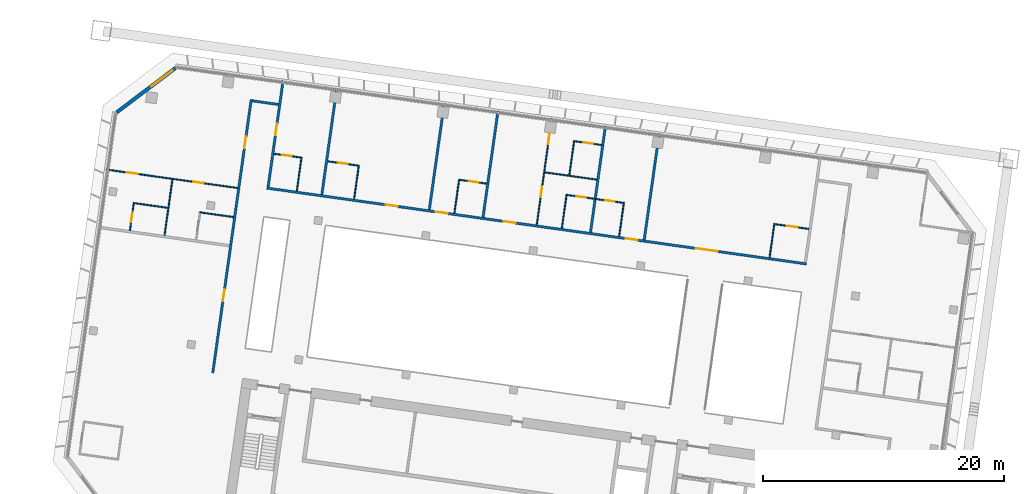
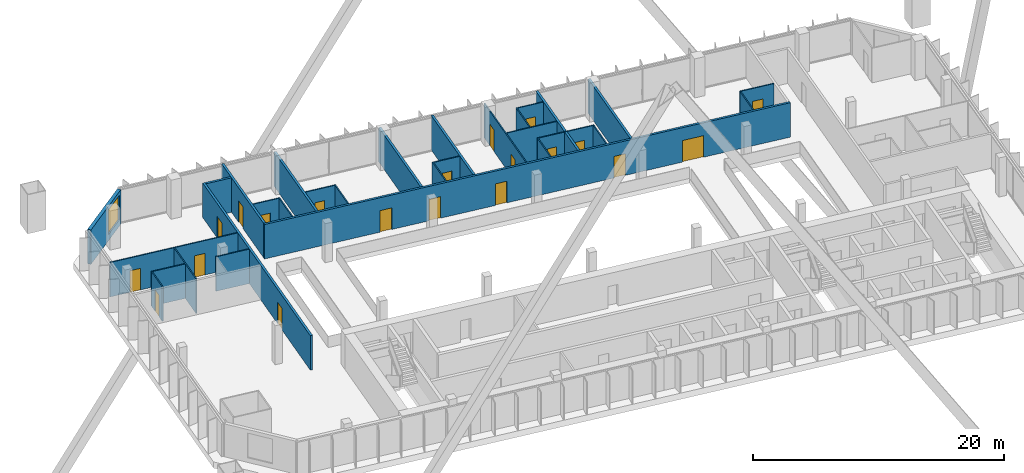
# One storey, part 32 of 41: 30 walls, 20 doors, 1 window, 21 openings.
"""IFC4 building model written with IfcOpenShell, lengths in metres."""

from ifc_helpers import new_model, si_unit, direction, frame, frame_2d, origin, place, context, subcontext, project, spatial, rectangle, extrude, material, layer, layer_set, type_object, element, fill, save


model = new_model("IFC4")

# Units and contexts
model_context = context("Model", 3, precision=1e-05, world=origin(), true_north=direction((0.0, 1.0)))
body_context = subcontext(model_context, "Body", "Model", "MODEL_VIEW")
ifc_project = project(units=[si_unit("LENGTHUNIT", "METRE"), si_unit("AREAUNIT", "SQUARE_METRE"), si_unit("VOLUMEUNIT", "CUBIC_METRE"), si_unit("PLANEANGLEUNIT", "RADIAN"), si_unit("MASSUNIT", "GRAM", prefix="KILO")], contexts=[model_context])

# Site, building, storey
site_placement = place(None, origin())
site = spatial("IfcSite", under=ifc_project, at=site_placement, CompositionType="ELEMENT")
building_placement = place(site_placement, origin())
building = spatial("IfcBuilding", under=site, at=building_placement, Name="Mirante Cascada Hotel Towers", CompositionType="ELEMENT")
storey_placement = place(building_placement, frame((0.0, 0.0, 125.3)))
storey = spatial("IfcBuildingStorey", under=building, at=storey_placement, Name="L28", CompositionType="ELEMENT", Elevation=125.3)

# Wall, openings, doors
ifc_material_1 = material(Name="Fire-rated plasterboard on metal studs")
ifc_layer_1 = layer(ifc_material_1, 0.2)
ifc_layer_set_1 = layer_set([ifc_layer_1], Name="Compartment wall 200 EI 120")
wall_type_1 = type_object("IfcWallType", Name="Compartment wall 200 EI 120", PredefinedType="PARTITIONING", material=ifc_layer_set_1)
wall_1_placement = place(storey_placement, frame((-86.638, 16.0582, 0.0), z_axis=(0.0, 0.0, 1.0), x_axis=(0.9902681, -0.1391726, 0.0)))
wall_1 = element("IfcWall", 1, at=wall_1_placement, inside=storey, type_object=wall_type_1, Name="Wall 1-L28-12", PredefinedType="PARTITIONING", context=body_context, shape_type="SweptSolid", body=[
    extrude(rectangle(XDim=45.2, YDim=0.2, at=frame_2d((22.6, 0.0))), origin(), (0.0, 0.0, 1.0), 3.35),
])
opening_1_placement = place(wall_1_placement, frame((35.95, 0.0, 0.0)))
opening_1 = element("IfcOpeningElement", 2, at=opening_1_placement, cuts=wall_1, Name="Opening D1-L28-06", PredefinedType="OPENING", context=body_context, shape_type="SweptSolid", body=[
    extrude(rectangle(XDim=1.8, YDim=2.1, at=frame_2d((0.9, 1.05))), frame((0.0, 0.1, 0.0), z_axis=(0.0, -1.0, 0.0), x_axis=(1.0, 0.0, 0.0)), (0.0, 0.0, 1.0), 0.2),
])
opening_2_placement = place(wall_1_placement, frame((30.05, 0.0, 0.0)))
opening_2 = element("IfcOpeningElement", 3, at=opening_2_placement, cuts=wall_1, Name="Opening D1-L28-07", PredefinedType="OPENING", context=body_context, shape_type="SweptSolid", body=[
    extrude(rectangle(XDim=1.0, YDim=2.1, at=frame_2d((0.5, 1.05))), frame((0.0, 0.1, 0.0), z_axis=(0.0, -1.0, 0.0), x_axis=(1.0, 0.0, 0.0)), (0.0, 0.0, 1.0), 0.2),
])
opening_3_placement = place(wall_1_placement, frame((19.85, 0.0, 0.0)))
opening_3 = element("IfcOpeningElement", 4, at=opening_3_placement, cuts=wall_1, Name="Opening D1-L28-08", PredefinedType="OPENING", context=body_context, shape_type="SweptSolid", body=[
    extrude(rectangle(XDim=1.0, YDim=2.1, at=frame_2d((0.5, 1.05))), frame((0.0, 0.1, 0.0), z_axis=(0.0, -1.0, 0.0), x_axis=(1.0, 0.0, 0.0)), (0.0, 0.0, 1.0), 0.2),
])
opening_4_placement = place(wall_1_placement, frame((14.15, 0.0, 0.0)))
opening_4 = element("IfcOpeningElement", 5, at=opening_4_placement, cuts=wall_1, Name="Opening D1-L28-09", PredefinedType="OPENING", context=body_context, shape_type="SweptSolid", body=[
    extrude(rectangle(XDim=1.0, YDim=2.1, at=frame_2d((0.5, 1.05))), frame((0.0, 0.1, 0.0), z_axis=(0.0, -1.0, 0.0), x_axis=(1.0, 0.0, 0.0)), (0.0, 0.0, 1.0), 0.2),
])
opening_5_placement = place(wall_1_placement, frame((9.95, 0.0, 0.0)))
opening_5 = element("IfcOpeningElement", 6, at=opening_5_placement, cuts=wall_1, Name="Opening D1-L28-10", PredefinedType="OPENING", context=body_context, shape_type="SweptSolid", body=[
    extrude(rectangle(XDim=1.0, YDim=2.1, at=frame_2d((0.5, 1.05))), frame((0.0, 0.1, 0.0), z_axis=(0.0, -1.0, 0.0), x_axis=(1.0, 0.0, 0.0)), (0.0, 0.0, 1.0), 0.2),
])
ifc_material_2 = material(Name="Fire-rated timber door leaf", Category="wood")
door_type_1 = type_object("IfcDoorType", Name="Entrance door DG1 1000x2100 EI 60", OperationType="SINGLE_SWING_LEFT", PredefinedType="DOOR", material=ifc_material_2)
door_1_placement = place(opening_2_placement, origin())
door_1 = element("IfcDoor", 7, at=door_1_placement, inside=storey, type_object=door_type_1, Name="Door D1-L28-07", OperationType="SINGLE_SWING_LEFT", OverallHeight=2.1, OverallWidth=1.0, PredefinedType="DOOR", context=body_context, shape_type="SweptSolid", body=[
    extrude(rectangle(XDim=1.0, YDim=2.1, at=frame_2d((0.5, 1.05))), frame((0.0, 0.025, 0.0), z_axis=(0.0, -1.0, 0.0), x_axis=(1.0, 0.0, 0.0)), (0.0, 0.0, 1.0), 0.05),
])
fill(opening_2, door_1)
door_2_placement = place(opening_3_placement, origin())
door_2 = element("IfcDoor", 8, at=door_2_placement, inside=storey, type_object=door_type_1, Name="Door D1-L28-08", OperationType="SINGLE_SWING_LEFT", OverallHeight=2.1, OverallWidth=1.0, PredefinedType="DOOR", context=body_context, shape_type="SweptSolid", body=[
    extrude(rectangle(XDim=1.0, YDim=2.1, at=frame_2d((0.5, 1.05))), frame((0.0, 0.025, 0.0), z_axis=(0.0, -1.0, 0.0), x_axis=(1.0, 0.0, 0.0)), (0.0, 0.0, 1.0), 0.05),
])
fill(opening_3, door_2)
door_3_placement = place(opening_4_placement, origin())
door_3 = element("IfcDoor", 9, at=door_3_placement, inside=storey, type_object=door_type_1, Name="Door D1-L28-09", OperationType="SINGLE_SWING_LEFT", OverallHeight=2.1, OverallWidth=1.0, PredefinedType="DOOR", context=body_context, shape_type="SweptSolid", body=[
    extrude(rectangle(XDim=1.0, YDim=2.1, at=frame_2d((0.5, 1.05))), frame((0.0, 0.025, 0.0), z_axis=(0.0, -1.0, 0.0), x_axis=(1.0, 0.0, 0.0)), (0.0, 0.0, 1.0), 0.05),
])
fill(opening_4, door_3)
door_4_placement = place(opening_5_placement, origin())
door_4 = element("IfcDoor", 10, at=door_4_placement, inside=storey, type_object=door_type_1, Name="Door D1-L28-10", OperationType="SINGLE_SWING_LEFT", OverallHeight=2.1, OverallWidth=1.0, PredefinedType="DOOR", context=body_context, shape_type="SweptSolid", body=[
    extrude(rectangle(XDim=1.0, YDim=2.1, at=frame_2d((0.5, 1.05))), frame((0.0, 0.025, 0.0), z_axis=(0.0, -1.0, 0.0), x_axis=(1.0, 0.0, 0.0)), (0.0, 0.0, 1.0), 0.05),
])
fill(opening_5, door_4)
ifc_material_3 = material(Name="Fire-rated timber door leaf", Category="wood")
door_type_2 = type_object("IfcDoorType", Name="Suite double door DG2 1800x2100 EI 60", OperationType="DOUBLE_DOOR_SINGLE_SWING", PredefinedType="DOOR", material=ifc_material_3)
door_5_placement = place(opening_1_placement, origin())
door_5 = element("IfcDoor", 11, at=door_5_placement, inside=storey, type_object=door_type_2, Name="Door D1-L28-06", OperationType="DOUBLE_DOOR_SINGLE_SWING", OverallHeight=2.1, OverallWidth=1.8, PredefinedType="DOOR", context=body_context, shape_type="SweptSolid", body=[
    extrude(rectangle(XDim=0.895, YDim=2.1, at=frame_2d((0.4475, 1.05))), frame((0.0, 0.025, 0.0), z_axis=(0.0, -1.0, 0.0), x_axis=(1.0, 0.0, 0.0)), (0.0, 0.0, 1.0), 0.05),
    extrude(rectangle(XDim=0.895, YDim=2.1, at=frame_2d((1.3525, 1.05))), frame((0.0, 0.025, 0.0), z_axis=(0.0, -1.0, 0.0), x_axis=(1.0, 0.0, 0.0)), (0.0, 0.0, 1.0), 0.05),
])
fill(opening_1, door_5)

# Walls
wall_2_placement = place(storey_placement, frame((-85.6638, 22.9901, 0.0), z_axis=(0.0, 0.0, 1.0), x_axis=(-0.990267, 0.139181, 0.0)))
element("IfcWall", 12, at=wall_2_placement, inside=storey, type_object=wall_type_1, Name="Wall 1-L28-21", PredefinedType="PARTITIONING", context=body_context, shape_type="SweptSolid", body=[
    extrude(rectangle(XDim=2.2, YDim=0.2, at=frame_2d((1.1, 0.0))), origin(), (0.0, 0.0, 1.0), 3.35),
])
wall_3_placement = place(storey_placement, frame((-55.3316, 11.7594, 0.0), z_axis=(0.0, 0.0, 1.0), x_axis=(0.1391794, 0.9902672, 0.0)))
element("IfcWall", 13, at=wall_3_placement, inside=storey, type_object=wall_type_1, Name="Wall 1-L28-31", PredefinedType="PARTITIONING", context=body_context, shape_type="SweptSolid", body=[
    extrude(rectangle(XDim=8.9, YDim=0.2, at=frame_2d((4.45, 0.0))), origin(), (0.0, 0.0, 1.0), 3.35),
])
wall_4_placement = place(storey_placement, frame((-59.7878, 12.3857, 0.0), z_axis=(0.0, 0.0, 1.0), x_axis=(0.13917, 0.9902685, 0.0)))
element("IfcWall", 14, at=wall_4_placement, inside=storey, type_object=wall_type_1, Name="Wall 1-L28-33", PredefinedType="PARTITIONING", context=body_context, shape_type="SweptSolid", body=[
    extrude(rectangle(XDim=8.8999, YDim=0.2, at=frame_2d((4.45, 0.0))), origin(), (0.0, 0.0, 1.0), 3.35),
])
for number, where, z_axis, x_axis, name in (
    (15, (-68.7002, 13.6382, 0.0), (0.0, 0.0, 1.0), (0.1391684, 0.9902687, 0.0), "Wall 1-L28-37"),
    (16, (-73.1564, 14.2645, 0.0), (0.0, 0.0, 1.0), (0.1391684, 0.9902687, 0.0), "Wall 1-L28-39"),
):
    element("IfcWall", number, at=place(storey_placement, frame(where, z_axis=z_axis, x_axis=x_axis)), inside=storey, type_object=wall_type_1, Name=name, PredefinedType="PARTITIONING", context=body_context, shape_type="SweptSolid", body=[
        extrude(rectangle(XDim=8.9, YDim=0.2, at=frame_2d((4.45, 0.0))), origin(), (0.0, 0.0, 1.0), 3.35),
    ])
wall_5_placement = place(storey_placement, frame((-82.0688, 15.5171, 0.0), z_axis=(0.0, 0.0, 1.0), x_axis=(0.13917, 0.9902685, 0.0)))
element("IfcWall", 17, at=wall_5_placement, inside=storey, type_object=wall_type_1, Name="Wall 1-L28-41", PredefinedType="PARTITIONING", context=body_context, shape_type="SweptSolid", body=[
    extrude(rectangle(XDim=8.8999, YDim=0.2, at=frame_2d((4.45, 0.0))), origin(), (0.0, 0.0, 1.0), 3.35),
])

# Wall, opening, door
wall_6_placement = place(storey_placement, frame((-86.525, 16.1433, 0.0), z_axis=(0.0, 0.0, 1.0), x_axis=(0.1391684, 0.9902687, 0.0)))
wall_6 = element("IfcWall", 18, at=wall_6_placement, inside=storey, type_object=wall_type_1, Name="Wall 1-L28-43", PredefinedType="PARTITIONING", context=body_context, shape_type="SweptSolid", body=[
    extrude(rectangle(XDim=8.9, YDim=0.2, at=frame_2d((4.45, 0.0))), origin(), (0.0, 0.0, 1.0), 3.35),
])
opening_6_placement = place(wall_6_placement, frame((4.35, 0.0, 0.0)))
opening_6 = element("IfcOpeningElement", 19, at=opening_6_placement, cuts=wall_6, Name="Opening D1-L28-24", PredefinedType="OPENING", context=body_context, shape_type="SweptSolid", body=[
    extrude(rectangle(XDim=1.0, YDim=2.1, at=frame_2d((0.5, 1.05))), frame((0.0, 0.1, 0.0), z_axis=(0.0, -1.0, 0.0), x_axis=(1.0, 0.0, 0.0)), (0.0, 0.0, 1.0), 0.2),
])
door_6_placement = place(opening_6_placement, frame((1.0, 0.0, 0.0), z_axis=(0.0, 0.0, 1.0), x_axis=(-1.0, 0.0, 0.0)))
door_6 = element("IfcDoor", 20, at=door_6_placement, inside=storey, type_object=door_type_1, Name="Door D1-L28-24", OperationType="SINGLE_SWING_RIGHT", OverallHeight=2.1, OverallWidth=1.0, PredefinedType="DOOR", context=body_context, shape_type="SweptSolid", body=[
    extrude(rectangle(XDim=1.0, YDim=2.1, at=frame_2d((0.5, 1.05))), frame((0.0, 0.025, 0.0), z_axis=(0.0, -1.0, 0.0), x_axis=(1.0, 0.0, 0.0)), (0.0, 0.0, 1.0), 0.05),
])
fill(opening_6, door_6)

# Wall, openings, doors
wall_7_placement = place(storey_placement, frame((-87.9275, 23.4092, 0.0), z_axis=(0.0, 0.0, 1.0), x_axis=(-0.1391706, -0.9902684, 0.0)))
wall_7 = element("IfcWall", 21, at=wall_7_placement, inside=storey, type_object=wall_type_1, Name="Wall 1-L28-44", PredefinedType="PARTITIONING", context=body_context, shape_type="SweptSolid", body=[
    extrude(rectangle(XDim=22.9, YDim=0.2, at=frame_2d((11.45, 0.0))), origin(), (0.0, 0.0, 1.0), 3.35),
])
opening_7_placement = place(wall_7_placement, frame((15.8834, 0.0, 0.0)))
opening_7 = element("IfcOpeningElement", 22, at=opening_7_placement, cuts=wall_7, Name="Opening D1-L28-25", PredefinedType="OPENING", context=body_context, shape_type="SweptSolid", body=[
    extrude(rectangle(XDim=1.0, YDim=2.1, at=frame_2d((0.5, 1.05))), frame((0.0, 0.1, 0.0), z_axis=(0.0, -1.0, 0.0), x_axis=(1.0, 0.0, 0.0)), (0.0, 0.0, 1.0), 0.2),
])
opening_8_placement = place(wall_7_placement, frame((3.1, 0.0, 0.0)))
opening_8 = element("IfcOpeningElement", 23, at=opening_8_placement, cuts=wall_7, Name="Opening D1-L28-26", PredefinedType="OPENING", context=body_context, shape_type="SweptSolid", body=[
    extrude(rectangle(XDim=1.0, YDim=2.1, at=frame_2d((0.5, 1.05))), frame((0.0, 0.1, 0.0), z_axis=(0.0, -1.0, 0.0), x_axis=(1.0, 0.0, 0.0)), (0.0, 0.0, 1.0), 0.2),
])
door_7_placement = place(opening_7_placement, frame((1.0, 0.0, 0.0), z_axis=(0.0, 0.0, 1.0), x_axis=(-1.0, 0.0, 0.0)))
door_7 = element("IfcDoor", 24, at=door_7_placement, inside=storey, type_object=door_type_1, Name="Door D1-L28-25", OperationType="SINGLE_SWING_RIGHT", OverallHeight=2.1, OverallWidth=1.0, PredefinedType="DOOR", context=body_context, shape_type="SweptSolid", body=[
    extrude(rectangle(XDim=1.0, YDim=2.1, at=frame_2d((0.5, 1.05))), frame((0.0, 0.025, 0.0), z_axis=(0.0, -1.0, 0.0), x_axis=(1.0, 0.0, 0.0)), (0.0, 0.0, 1.0), 0.05),
])
fill(opening_7, door_7)
door_8_placement = place(opening_8_placement, frame((1.0, 0.0, 0.0), z_axis=(0.0, 0.0, 1.0), x_axis=(-1.0, 0.0, 0.0)))
door_8 = element("IfcDoor", 25, at=door_8_placement, inside=storey, type_object=door_type_1, Name="Door D1-L28-26", OperationType="SINGLE_SWING_RIGHT", OverallHeight=2.1, OverallWidth=1.0, PredefinedType="DOOR", context=body_context, shape_type="SweptSolid", body=[
    extrude(rectangle(XDim=1.0, YDim=2.1, at=frame_2d((0.5, 1.05))), frame((0.0, 0.025, 0.0), z_axis=(0.0, -1.0, 0.0), x_axis=(1.0, 0.0, 0.0)), (0.0, 0.0, 1.0), 0.05),
])
fill(opening_8, door_8)

# Walls
ifc_material_4 = material(Name="Plasterboard on metal studs")
ifc_layer_2 = layer(ifc_material_4, 0.1)
ifc_layer_set_2 = layer_set([ifc_layer_2], Name="Partition 100")
wall_type_2 = type_object("IfcWallType", Name="Partition 100", PredefinedType="PARTITIONING", material=ifc_layer_set_2)
wall_8_placement = place(storey_placement, frame((-89.3997, 13.6525, 0.0), z_axis=(0.0, 0.0, 1.0), x_axis=(-0.9902697, 0.1391613, 0.0)))
element("IfcWall", 26, at=wall_8_placement, inside=storey, type_object=wall_type_2, Name="Wall 1-L28-09", PredefinedType="PARTITIONING", context=body_context, shape_type="SweptSolid", body=[
    extrude(rectangle(XDim=2.8499, YDim=0.1, at=frame_2d((1.425, 0.0))), origin(), (0.0, 0.0, 1.0), 3.35),
])
wall_9_placement = place(storey_placement, frame((-97.7179, 14.8215, 0.0), z_axis=(0.0, 0.0, 1.0), x_axis=(0.9902683, -0.1391714, 0.0)))
element("IfcWall", 27, at=wall_9_placement, inside=storey, type_object=wall_type_2, Name="Wall 1-L28-10", PredefinedType="PARTITIONING", context=body_context, shape_type="SweptSolid", body=[
    extrude(rectangle(XDim=2.9, YDim=0.1, at=frame_2d((1.45, 0.0))), origin(), (0.0, 0.0, 1.0), 3.35),
])

# Wall, openings, doors
wall_10_placement = place(storey_placement, frame((-89.061, 16.0622, 0.0), z_axis=(0.0, 0.0, 1.0), x_axis=(-0.9902682, 0.1391721, 0.0)))
wall_10 = element("IfcWall", 28, at=wall_10_placement, inside=storey, type_object=wall_type_2, Name="Wall 1-L28-11", PredefinedType="PARTITIONING", context=body_context, shape_type="SweptSolid", body=[
    extrude(rectangle(XDim=11.0001, YDim=0.1, at=frame_2d((5.5, 0.0))), origin(), (0.0, 0.0, 1.0), 3.35),
])
opening_9_placement = place(wall_10_placement, frame((2.825, 0.0, 0.0)))
opening_9 = element("IfcOpeningElement", 29, at=opening_9_placement, cuts=wall_10, Name="Opening D1-L28-04", PredefinedType="OPENING", context=body_context, shape_type="SweptSolid", body=[
    extrude(rectangle(XDim=0.9, YDim=2.1, at=frame_2d((0.45, 1.05))), frame((0.0, 0.05, 0.0), z_axis=(0.0, -1.0, 0.0), x_axis=(1.0, 0.0, 0.0)), (0.0, 0.0, 1.0), 0.1),
])
opening_10_placement = place(wall_10_placement, frame((8.375, 0.0, 0.0)))
opening_10 = element("IfcOpeningElement", 30, at=opening_10_placement, cuts=wall_10, Name="Opening D1-L28-05", PredefinedType="OPENING", context=body_context, shape_type="SweptSolid", body=[
    extrude(rectangle(XDim=0.9, YDim=2.1, at=frame_2d((0.45, 1.05))), frame((0.0, 0.05, 0.0), z_axis=(0.0, -1.0, 0.0), x_axis=(1.0, 0.0, 0.0)), (0.0, 0.0, 1.0), 0.1),
])
ifc_material_5 = material(Name="Timber door leaf", Category="wood")
door_type_3 = type_object("IfcDoorType", Name="Room door DG3 900x2100", OperationType="SINGLE_SWING_LEFT", PredefinedType="DOOR", material=ifc_material_5)
door_9_placement = place(opening_9_placement, frame((0.9, 0.0, 0.0), z_axis=(0.0, 0.0, 1.0), x_axis=(-1.0, 0.0, 0.0)))
door_9 = element("IfcDoor", 31, at=door_9_placement, inside=storey, type_object=door_type_3, Name="Door D1-L28-04", OperationType="SINGLE_SWING_RIGHT", OverallHeight=2.1, OverallWidth=0.9, PredefinedType="DOOR", context=body_context, shape_type="SweptSolid", body=[
    extrude(rectangle(XDim=0.9, YDim=2.1, at=frame_2d((0.45, 1.05))), frame((0.0, 0.025, 0.0), z_axis=(0.0, -1.0, 0.0), x_axis=(1.0, 0.0, 0.0)), (0.0, 0.0, 1.0), 0.05),
])
fill(opening_9, door_9)
door_10_placement = place(opening_10_placement, frame((0.9, 0.0, 0.0), z_axis=(0.0, 0.0, 1.0), x_axis=(-1.0, 0.0, 0.0)))
door_10 = element("IfcDoor", 32, at=door_10_placement, inside=storey, type_object=door_type_3, Name="Door D1-L28-05", OperationType="SINGLE_SWING_RIGHT", OverallHeight=2.1, OverallWidth=0.9, PredefinedType="DOOR", context=body_context, shape_type="SweptSolid", body=[
    extrude(rectangle(XDim=0.9, YDim=2.1, at=frame_2d((0.45, 1.05))), frame((0.0, 0.025, 0.0), z_axis=(0.0, -1.0, 0.0), x_axis=(1.0, 0.0, 0.0)), (0.0, 0.0, 1.0), 0.05),
])
fill(opening_10, door_10)

# Wall, opening, door
wall_11_placement = place(storey_placement, frame((-41.6723, 12.6672, 0.0), z_axis=(0.0, 0.0, 1.0), x_axis=(-0.9902663, 0.1391858, 0.0)))
wall_11 = element("IfcWall", 33, at=wall_11_placement, inside=storey, type_object=wall_type_2, Name="Wall 1-L28-13", PredefinedType="PARTITIONING", context=body_context, shape_type="SweptSolid", body=[
    extrude(rectangle(XDim=2.95, YDim=0.1, at=frame_2d((1.475, 0.0))), origin(), (0.0, 0.0, 1.0), 3.35),
])
opening_11_placement = place(wall_11_placement, frame((0.95, 0.0, 0.0)))
opening_11 = element("IfcOpeningElement", 34, at=opening_11_placement, cuts=wall_11, Name="Opening D1-L28-11", PredefinedType="OPENING", context=body_context, shape_type="SweptSolid", body=[
    extrude(rectangle(XDim=0.9, YDim=2.1, at=frame_2d((0.45, 1.05))), frame((0.0, 0.05, 0.0), z_axis=(0.0, -1.0, 0.0), x_axis=(1.0, 0.0, 0.0)), (0.0, 0.0, 1.0), 0.1),
])
door_11_placement = place(opening_11_placement, frame((0.9, 0.0, 0.0), z_axis=(0.0, 0.0, 1.0), x_axis=(-1.0, 0.0, 0.0)))
door_11 = element("IfcDoor", 35, at=door_11_placement, inside=storey, type_object=door_type_3, Name="Door D1-L28-11", OperationType="SINGLE_SWING_RIGHT", OverallHeight=2.1, OverallWidth=0.9, PredefinedType="DOOR", context=body_context, shape_type="SweptSolid", body=[
    extrude(rectangle(XDim=0.9, YDim=2.1, at=frame_2d((0.45, 1.05))), frame((0.0, 0.025, 0.0), z_axis=(0.0, -1.0, 0.0), x_axis=(1.0, 0.0, 0.0)), (0.0, 0.0, 1.0), 0.05),
])
fill(opening_11, door_11)

# Wall, openings, doors
wall_12_placement = place(storey_placement, frame((-61.8243, 15.4994, 0.0), z_axis=(0.0, 0.0, 1.0), x_axis=(0.9902666, -0.1391838, 0.0)))
wall_12 = element("IfcWall", 36, at=wall_12_placement, inside=storey, type_object=wall_type_2, Name="Wall 1-L28-14", PredefinedType="PARTITIONING", context=body_context, shape_type="SweptSolid", body=[
    extrude(rectangle(XDim=4.9, YDim=0.1, at=frame_2d((2.45, 0.0))), origin(), (0.0, 0.0, 1.0), 3.35),
])
opening_12_placement = place(wall_12_placement, frame((3.25, 0.0, 0.0)))
opening_12 = element("IfcOpeningElement", 37, at=opening_12_placement, cuts=wall_12, Name="Opening D1-L28-12", PredefinedType="OPENING", context=body_context, shape_type="SweptSolid", body=[
    extrude(rectangle(XDim=0.8, YDim=2.1, at=frame_2d((0.4, 1.05))), frame((0.0, 0.05, 0.0), z_axis=(0.0, -1.0, 0.0), x_axis=(1.0, 0.0, 0.0)), (0.0, 0.0, 1.0), 0.1),
])
opening_13_placement = place(wall_12_placement, frame((0.85, 0.0, 0.0)))
opening_13 = element("IfcOpeningElement", 38, at=opening_13_placement, cuts=wall_12, Name="Opening D1-L28-13", PredefinedType="OPENING", context=body_context, shape_type="SweptSolid", body=[
    extrude(rectangle(XDim=0.8, YDim=2.1, at=frame_2d((0.4, 1.05))), frame((0.0, 0.05, 0.0), z_axis=(0.0, -1.0, 0.0), x_axis=(1.0, 0.0, 0.0)), (0.0, 0.0, 1.0), 0.1),
])
ifc_material_6 = material(Name="Timber door leaf", Category="wood")
door_type_4 = type_object("IfcDoorType", Name="Bathroom door DG4 800x2100", OperationType="SINGLE_SWING_LEFT", PredefinedType="DOOR", material=ifc_material_6)
door_12_placement = place(opening_12_placement, origin())
door_12 = element("IfcDoor", 39, at=door_12_placement, inside=storey, type_object=door_type_4, Name="Door D1-L28-12", OperationType="SINGLE_SWING_LEFT", OverallHeight=2.1, OverallWidth=0.8, PredefinedType="DOOR", context=body_context, shape_type="SweptSolid", body=[
    extrude(rectangle(XDim=0.8, YDim=2.1, at=frame_2d((0.4, 1.05))), frame((0.0, 0.025, 0.0), z_axis=(0.0, -1.0, 0.0), x_axis=(1.0, 0.0, 0.0)), (0.0, 0.0, 1.0), 0.05),
])
fill(opening_12, door_12)
door_13_placement = place(opening_13_placement, frame((0.8, 0.0, 0.0), z_axis=(0.0, 0.0, 1.0), x_axis=(-1.0, 0.0, 0.0)))
door_13 = element("IfcDoor", 40, at=door_13_placement, inside=storey, type_object=door_type_4, Name="Door D1-L28-13", OperationType="SINGLE_SWING_RIGHT", OverallHeight=2.1, OverallWidth=0.8, PredefinedType="DOOR", context=body_context, shape_type="SweptSolid", body=[
    extrude(rectangle(XDim=0.8, YDim=2.1, at=frame_2d((0.4, 1.05))), frame((0.0, 0.025, 0.0), z_axis=(0.0, -1.0, 0.0), x_axis=(1.0, 0.0, 0.0)), (0.0, 0.0, 1.0), 0.05),
])
fill(opening_13, door_13)

# Wall, opening, door
wall_13_placement = place(storey_placement, frame((-68.4096, 16.4249, 0.0), z_axis=(0.0, 0.0, 1.0), x_axis=(-0.9902705, 0.1391561, 0.0)))
wall_13 = element("IfcWall", 41, at=wall_13_placement, inside=storey, type_object=wall_type_2, Name="Wall 1-L28-15", PredefinedType="PARTITIONING", context=body_context, shape_type="SweptSolid", body=[
    extrude(rectangle(XDim=2.25, YDim=0.1, at=frame_2d((1.125, 0.0))), origin(), (0.0, 0.0, 1.0), 3.35),
])
opening_14_placement = place(wall_13_placement, frame((0.7, 0.0, 0.0)))
opening_14 = element("IfcOpeningElement", 42, at=opening_14_placement, cuts=wall_13, Name="Opening D1-L28-14", PredefinedType="OPENING", context=body_context, shape_type="SweptSolid", body=[
    extrude(rectangle(XDim=0.8, YDim=2.1, at=frame_2d((0.4, 1.05))), frame((0.0, 0.05, 0.0), z_axis=(0.0, -1.0, 0.0), x_axis=(1.0, 0.0, 0.0)), (0.0, 0.0, 1.0), 0.1),
])
door_14_placement = place(opening_14_placement, frame((0.8, 0.0, 0.0), z_axis=(0.0, 0.0, 1.0), x_axis=(-1.0, 0.0, 0.0)))
door_14 = element("IfcDoor", 43, at=door_14_placement, inside=storey, type_object=door_type_4, Name="Door D1-L28-14", OperationType="SINGLE_SWING_RIGHT", OverallHeight=2.1, OverallWidth=0.8, PredefinedType="DOOR", context=body_context, shape_type="SweptSolid", body=[
    extrude(rectangle(XDim=0.8, YDim=2.1, at=frame_2d((0.4, 1.05))), frame((0.0, 0.025, 0.0), z_axis=(0.0, -1.0, 0.0), x_axis=(1.0, 0.0, 0.0)), (0.0, 0.0, 1.0), 0.05),
])
fill(opening_14, door_14)

wall_14_placement = place(storey_placement, frame((-81.5801, 18.2759, 0.0), z_axis=(0.0, 0.0, 1.0), x_axis=(0.9902677, -0.1391755, 0.0)))
wall_14 = element("IfcWall", 44, at=wall_14_placement, inside=storey, type_object=wall_type_2, Name="Wall 1-L28-16", PredefinedType="PARTITIONING", context=body_context, shape_type="SweptSolid", body=[
    extrude(rectangle(XDim=2.55, YDim=0.1, at=frame_2d((1.275, 0.0))), origin(), (0.0, 0.0, 1.0), 3.35),
])
opening_15_placement = place(wall_14_placement, frame((0.85, 0.0, 0.0)))
opening_15 = element("IfcOpeningElement", 45, at=opening_15_placement, cuts=wall_14, Name="Opening D1-L28-15", PredefinedType="OPENING", context=body_context, shape_type="SweptSolid", body=[
    extrude(rectangle(XDim=0.8, YDim=2.1, at=frame_2d((0.4, 1.05))), frame((0.0, 0.05, 0.0), z_axis=(0.0, -1.0, 0.0), x_axis=(1.0, 0.0, 0.0)), (0.0, 0.0, 1.0), 0.1),
])
door_15_placement = place(opening_15_placement, origin())
door_15 = element("IfcDoor", 46, at=door_15_placement, inside=storey, type_object=door_type_4, Name="Door D1-L28-15", OperationType="SINGLE_SWING_LEFT", OverallHeight=2.1, OverallWidth=0.8, PredefinedType="DOOR", context=body_context, shape_type="SweptSolid", body=[
    extrude(rectangle(XDim=0.8, YDim=2.1, at=frame_2d((0.4, 1.05))), frame((0.0, 0.025, 0.0), z_axis=(0.0, -1.0, 0.0), x_axis=(1.0, 0.0, 0.0)), (0.0, 0.0, 1.0), 0.05),
])
fill(opening_15, door_15)

wall_15_placement = place(storey_placement, frame((-83.8082, 18.589, 0.0), z_axis=(0.0, 0.0, 1.0), x_axis=(-0.9902643, 0.1391997, 0.0)))
wall_15 = element("IfcWall", 47, at=wall_15_placement, inside=storey, type_object=wall_type_2, Name="Wall 1-L28-17", PredefinedType="PARTITIONING", context=body_context, shape_type="SweptSolid", body=[
    extrude(rectangle(XDim=2.25, YDim=0.1, at=frame_2d((1.125, 0.0))), origin(), (0.0, 0.0, 1.0), 3.35),
])
opening_16_placement = place(wall_15_placement, frame((0.75, 0.0, 0.0)))
opening_16 = element("IfcOpeningElement", 48, at=opening_16_placement, cuts=wall_15, Name="Opening D1-L28-16", PredefinedType="OPENING", context=body_context, shape_type="SweptSolid", body=[
    extrude(rectangle(XDim=0.8, YDim=2.1, at=frame_2d((0.4, 1.05))), frame((0.0, 0.05, 0.0), z_axis=(0.0, -1.0, 0.0), x_axis=(1.0, 0.0, 0.0)), (0.0, 0.0, 1.0), 0.1),
])
door_16_placement = place(opening_16_placement, frame((0.8, 0.0, 0.0), z_axis=(0.0, 0.0, 1.0), x_axis=(-1.0, 0.0, 0.0)))
door_16 = element("IfcDoor", 49, at=door_16_placement, inside=storey, type_object=door_type_4, Name="Door D1-L28-16", OperationType="SINGLE_SWING_RIGHT", OverallHeight=2.1, OverallWidth=0.8, PredefinedType="DOOR", context=body_context, shape_type="SweptSolid", body=[
    extrude(rectangle(XDim=0.8, YDim=2.1, at=frame_2d((0.4, 1.05))), frame((0.0, 0.025, 0.0), z_axis=(0.0, -1.0, 0.0), x_axis=(1.0, 0.0, 0.0)), (0.0, 0.0, 1.0), 0.05),
])
fill(opening_16, door_16)

# Wall
wall_16_placement = place(storey_placement, frame((-59.2745, 16.7568, 0.0), z_axis=(0.0, 0.0, 1.0), x_axis=(-0.9902679, 0.1391745, 0.0)))
element("IfcWall", 50, at=wall_16_placement, inside=storey, type_object=wall_type_2, Name="Wall 1-L28-19", PredefinedType="PARTITIONING", context=body_context, shape_type="SweptSolid", body=[
    extrude(rectangle(XDim=4.3499, YDim=0.1, at=frame_2d((2.175, 0.0))), origin(), (0.0, 0.0, 1.0), 3.35),
])

# Wall, opening, door
wall_17_placement = place(storey_placement, frame((-61.099, 19.9417, 0.0), z_axis=(0.0, 0.0, 1.0), x_axis=(0.9902643, -0.1391997, 0.0)))
wall_17 = element("IfcWall", 51, at=wall_17_placement, inside=storey, type_object=wall_type_2, Name="Wall 1-L28-22", PredefinedType="PARTITIONING", context=body_context, shape_type="SweptSolid", body=[
    extrude(rectangle(XDim=2.25, YDim=0.1, at=frame_2d((1.125, 0.0))), origin(), (0.0, 0.0, 1.0), 3.35),
])
opening_17_placement = place(wall_17_placement, frame((0.75, 0.0, 0.0)))
opening_17 = element("IfcOpeningElement", 52, at=opening_17_placement, cuts=wall_17, Name="Opening D1-L28-17", PredefinedType="OPENING", context=body_context, shape_type="SweptSolid", body=[
    extrude(rectangle(XDim=0.8, YDim=2.1, at=frame_2d((0.4, 1.05))), frame((0.0, 0.05, 0.0), z_axis=(0.0, -1.0, 0.0), x_axis=(1.0, 0.0, 0.0)), (0.0, 0.0, 1.0), 0.1),
])
door_17_placement = place(opening_17_placement, frame((0.8, 0.0, 0.0), z_axis=(0.0, 0.0, 1.0), x_axis=(-1.0, 0.0, 0.0)))
door_17 = element("IfcDoor", 53, at=door_17_placement, inside=storey, type_object=door_type_4, Name="Door D1-L28-17", OperationType="SINGLE_SWING_RIGHT", OverallHeight=2.1, OverallWidth=0.8, PredefinedType="DOOR", context=body_context, shape_type="SweptSolid", body=[
    extrude(rectangle(XDim=0.8, YDim=2.1, at=frame_2d((0.4, 1.05))), frame((0.0, 0.025, 0.0), z_axis=(0.0, -1.0, 0.0), x_axis=(1.0, 0.0, 0.0)), (0.0, 0.0, 1.0), 0.05),
])
fill(opening_17, door_17)

# Walls
wall_18_placement = place(storey_placement, frame((-44.551, 13.0213, 0.0), z_axis=(0.0, 0.0, 1.0), x_axis=(-0.1392013, -0.9902641, 0.0)))
element("IfcWall", 54, at=wall_18_placement, inside=storey, type_object=wall_type_2, Name="Wall 1-L28-30", PredefinedType="PARTITIONING", context=body_context, shape_type="SweptSolid", body=[
    extrude(rectangle(XDim=2.75, YDim=0.1, at=frame_2d((1.375, 0.0))), origin(), (0.0, 0.0, 1.0), 3.35),
])
wall_19_placement = place(storey_placement, frame((-57.0284, 14.7749, 0.0), z_axis=(0.0, 0.0, 1.0), x_axis=(-0.1391963, -0.9902648, 0.0)))
element("IfcWall", 55, at=wall_19_placement, inside=storey, type_object=wall_type_2, Name="Wall 1-L28-32", PredefinedType="PARTITIONING", context=body_context, shape_type="SweptSolid", body=[
    extrude(rectangle(XDim=2.7501, YDim=0.1, at=frame_2d((1.3751, 0.0))), origin(), (0.0, 0.0, 1.0), 3.35),
])
wall_20_placement = place(storey_placement, frame((-61.7817, 15.4429, 0.0), z_axis=(0.0, 0.0, 1.0), x_axis=(-0.1391657, -0.9902691, 0.0)))
element("IfcWall", 56, at=wall_20_placement, inside=storey, type_object=wall_type_2, Name="Wall 1-L28-34", PredefinedType="PARTITIONING", context=body_context, shape_type="SweptSolid", body=[
    extrude(rectangle(XDim=2.75, YDim=0.1, at=frame_2d((1.375, 0.0))), origin(), (0.0, 0.0, 1.0), 3.35),
])
wall_21_placement = place(storey_placement, frame((-61.5451, 17.1264, 0.0), z_axis=(0.0, 0.0, 1.0), x_axis=(0.1391761, 0.9902676, 0.0)))
element("IfcWall", 57, at=wall_21_placement, inside=storey, type_object=wall_type_2, Name="Wall 1-L28-35", PredefinedType="PARTITIONING", context=body_context, shape_type="SweptSolid", body=[
    extrude(rectangle(XDim=2.8999, YDim=0.1, at=frame_2d((1.45, 0.0))), origin(), (0.0, 0.0, 1.0), 3.35),
])

# Wall, openings, doors
wall_22_placement = place(storey_placement, frame((-63.0054, 21.8253, 0.0), z_axis=(0.0, 0.0, 1.0), x_axis=(-0.1391684, -0.9902687, 0.0)))
wall_22 = element("IfcWall", 58, at=wall_22_placement, inside=storey, type_object=wall_type_2, Name="Wall 1-L28-36", PredefinedType="PARTITIONING", context=body_context, shape_type="SweptSolid", body=[
    extrude(rectangle(XDim=8.9, YDim=0.1, at=frame_2d((4.45, 0.0))), origin(), (0.0, 0.0, 1.0), 3.35),
])
opening_18_placement = place(wall_22_placement, frame((5.7, 0.0, 0.0)))
opening_18 = element("IfcOpeningElement", 59, at=opening_18_placement, cuts=wall_22, Name="Opening D1-L28-22", PredefinedType="OPENING", context=body_context, shape_type="SweptSolid", body=[
    extrude(rectangle(XDim=0.9, YDim=2.1, at=frame_2d((0.45, 1.05))), frame((0.0, 0.05, 0.0), z_axis=(0.0, -1.0, 0.0), x_axis=(1.0, 0.0, 0.0)), (0.0, 0.0, 1.0), 0.1),
])
opening_19_placement = place(wall_22_placement, frame((1.25, 0.0, 0.0)))
opening_19 = element("IfcOpeningElement", 60, at=opening_19_placement, cuts=wall_22, Name="Opening D1-L28-23", PredefinedType="OPENING", context=body_context, shape_type="SweptSolid", body=[
    extrude(rectangle(XDim=0.9, YDim=2.1, at=frame_2d((0.45, 1.05))), frame((0.0, 0.05, 0.0), z_axis=(0.0, -1.0, 0.0), x_axis=(1.0, 0.0, 0.0)), (0.0, 0.0, 1.0), 0.1),
])
door_18_placement = place(opening_18_placement, frame((0.9, 0.0, 0.0), z_axis=(0.0, 0.0, 1.0), x_axis=(-1.0, 0.0, 0.0)))
door_18 = element("IfcDoor", 61, at=door_18_placement, inside=storey, type_object=door_type_3, Name="Door D1-L28-22", OperationType="SINGLE_SWING_RIGHT", OverallHeight=2.1, OverallWidth=0.9, PredefinedType="DOOR", context=body_context, shape_type="SweptSolid", body=[
    extrude(rectangle(XDim=0.9, YDim=2.1, at=frame_2d((0.45, 1.05))), frame((0.0, 0.025, 0.0), z_axis=(0.0, -1.0, 0.0), x_axis=(1.0, 0.0, 0.0)), (0.0, 0.0, 1.0), 0.05),
])
fill(opening_18, door_18)
door_19_placement = place(opening_19_placement, frame((0.9, 0.0, 0.0), z_axis=(0.0, 0.0, 1.0), x_axis=(-1.0, 0.0, 0.0)))
door_19 = element("IfcDoor", 62, at=door_19_placement, inside=storey, type_object=door_type_3, Name="Door D1-L28-23", OperationType="SINGLE_SWING_RIGHT", OverallHeight=2.1, OverallWidth=0.9, PredefinedType="DOOR", context=body_context, shape_type="SweptSolid", body=[
    extrude(rectangle(XDim=0.9, YDim=2.1, at=frame_2d((0.45, 1.05))), frame((0.0, 0.025, 0.0), z_axis=(0.0, -1.0, 0.0), x_axis=(1.0, 0.0, 0.0)), (0.0, 0.0, 1.0), 0.05),
])
fill(opening_19, door_19)

# Walls
for number, where, z_axis, x_axis, name in (
    (63, (-70.6802, 16.7945, 0.0), (0.0, 0.0, 1.0), (-0.1391909, -0.9902656, 0.0), "Wall 1-L28-38"),
    (64, (-78.9985, 17.9636, 0.0), (0.0, 0.0, 1.0), (-0.1391564, -0.9902704, 0.0), "Wall 1-L28-40"),
    (65, (-83.7517, 18.6316, 0.0), (0.0, 0.0, 1.0), (-0.1391909, -0.9902656, 0.0), "Wall 1-L28-42"),
):
    element("IfcWall", number, at=place(storey_placement, frame(where, z_axis=z_axis, x_axis=x_axis)), inside=storey, type_object=wall_type_2, Name=name, PredefinedType="PARTITIONING", context=body_context, shape_type="SweptSolid", body=[
        extrude(rectangle(XDim=2.85, YDim=0.1, at=frame_2d((1.425, 0.0))), origin(), (0.0, 0.0, 1.0), 3.35),
    ])
wall_23_placement = place(storey_placement, frame((-94.4649, 16.7712, 0.0), z_axis=(0.0, 0.0, 1.0), x_axis=(-0.1391701, -0.9902685, 0.0)))
element("IfcWall", 66, at=wall_23_placement, inside=storey, type_object=wall_type_2, Name="Wall 1-L28-46", PredefinedType="PARTITIONING", context=body_context, shape_type="SweptSolid", body=[
    extrude(rectangle(XDim=4.6835, YDim=0.1, at=frame_2d((2.3418, 0.0))), origin(), (0.0, 0.0, 1.0), 3.35),
])

# Wall, opening, door
wall_24_placement = place(storey_placement, frame((-97.6754, 14.765, 0.0), z_axis=(0.0, 0.0, 1.0), x_axis=(-0.1391561, -0.9902705, 0.0)))
wall_24 = element("IfcWall", 67, at=wall_24_placement, inside=storey, type_object=wall_type_2, Name="Wall 1-L28-48", PredefinedType="PARTITIONING", context=body_context, shape_type="SweptSolid", body=[
    extrude(rectangle(XDim=2.25, YDim=0.1, at=frame_2d((1.125, 0.0))), origin(), (0.0, 0.0, 1.0), 3.35),
])
opening_20_placement = place(wall_24_placement, frame((0.75, 0.0, 0.0)))
opening_20 = element("IfcOpeningElement", 68, at=opening_20_placement, cuts=wall_24, Name="Opening D1-L28-28", PredefinedType="OPENING", context=body_context, shape_type="SweptSolid", body=[
    extrude(rectangle(XDim=0.8, YDim=2.1, at=frame_2d((0.4, 1.05))), frame((0.0, 0.05, 0.0), z_axis=(0.0, -1.0, 0.0), x_axis=(1.0, 0.0, 0.0)), (0.0, 0.0, 1.0), 0.1),
])
door_20_placement = place(opening_20_placement, origin())
door_20 = element("IfcDoor", 69, at=door_20_placement, inside=storey, type_object=door_type_4, Name="Door D1-L28-28", OperationType="SINGLE_SWING_LEFT", OverallHeight=2.1, OverallWidth=0.8, PredefinedType="DOOR", context=body_context, shape_type="SweptSolid", body=[
    extrude(rectangle(XDim=0.8, YDim=2.1, at=frame_2d((0.4, 1.05))), frame((0.0, 0.025, 0.0), z_axis=(0.0, -1.0, 0.0), x_axis=(1.0, 0.0, 0.0)), (0.0, 0.0, 1.0), 0.05),
])
fill(opening_20, door_20)

# Wall, opening, window
ifc_material_7 = material(Name="Precast concrete C40/50", Category="concrete")
ifc_layer_3 = layer(ifc_material_7, 0.3)
ifc_layer_set_3 = layer_set([ifc_layer_3], Name="Precast concrete C40/50 cladding wall 300")
wall_type_3 = type_object("IfcWallType", Name="Precast concrete C40/50 cladding wall 300", PredefinedType="STANDARD", material=ifc_layer_set_3)
wall_25_placement = place(storey_placement, frame((-99.0919, 22.3343, 0.0), z_axis=(0.0, 0.0, 1.0), x_axis=(0.7986362, 0.6018141, 0.0)))
wall_25 = element("IfcWall", 70, at=wall_25_placement, inside=storey, type_object=wall_type_3, Name="Corner cladding wall T1 L28 outer front", PredefinedType="STANDARD", context=body_context, shape_type="SweptSolid", body=[
    extrude(rectangle(XDim=6.1157, YDim=0.3, at=frame_2d((3.0578, 0.0))), origin(), (0.0, 0.0, 1.0), 3.35),
])
opening_21_placement = place(wall_25_placement, frame((3.595, 0.0, 0.6)))
opening_21 = element("IfcOpeningElement", 71, at=opening_21_placement, cuts=wall_25, Name="Opening W1-28-04", PredefinedType="OPENING", context=body_context, shape_type="SweptSolid", body=[
    extrude(rectangle(XDim=2.2, YDim=2.4, at=frame_2d((1.1, 1.2))), frame((0.0, 0.15, 0.0), z_axis=(0.0, -1.0, 0.0), x_axis=(1.0, 0.0, 0.0)), (0.0, 0.0, 1.0), 0.3),
])
ifc_material_8 = material(Name="Aluminium frame with clear double glazing", Category="aluminium")
window_type = type_object("IfcWindowType", Name="Corner suite window 2200x2400", PartitioningType="DOUBLE_PANEL_VERTICAL", PredefinedType="WINDOW", material=ifc_material_8)
window_placement = place(opening_21_placement, origin())
window = element("IfcWindow", 72, at=window_placement, inside=storey, type_object=window_type, Name="Window W1-28-04", OverallHeight=2.4, OverallWidth=2.2, PartitioningType="SINGLE_PANEL", PredefinedType="WINDOW", context=body_context, shape_type="SweptSolid", body=[
    extrude(rectangle(XDim=2.2, YDim=2.4, at=frame_2d((1.1, 1.2))), frame((0.0, 0.03, 0.0), z_axis=(0.0, -1.0, 0.0), x_axis=(1.0, 0.0, 0.0)), (0.0, 0.0, 1.0), 0.06),
])
fill(opening_21, window)

save(model, "model.ifc")
